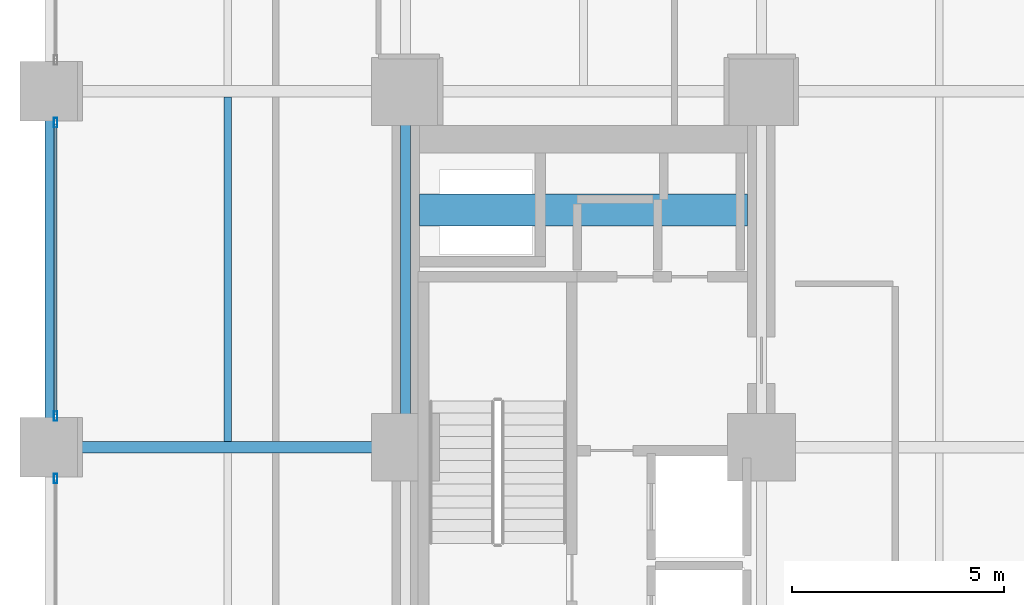
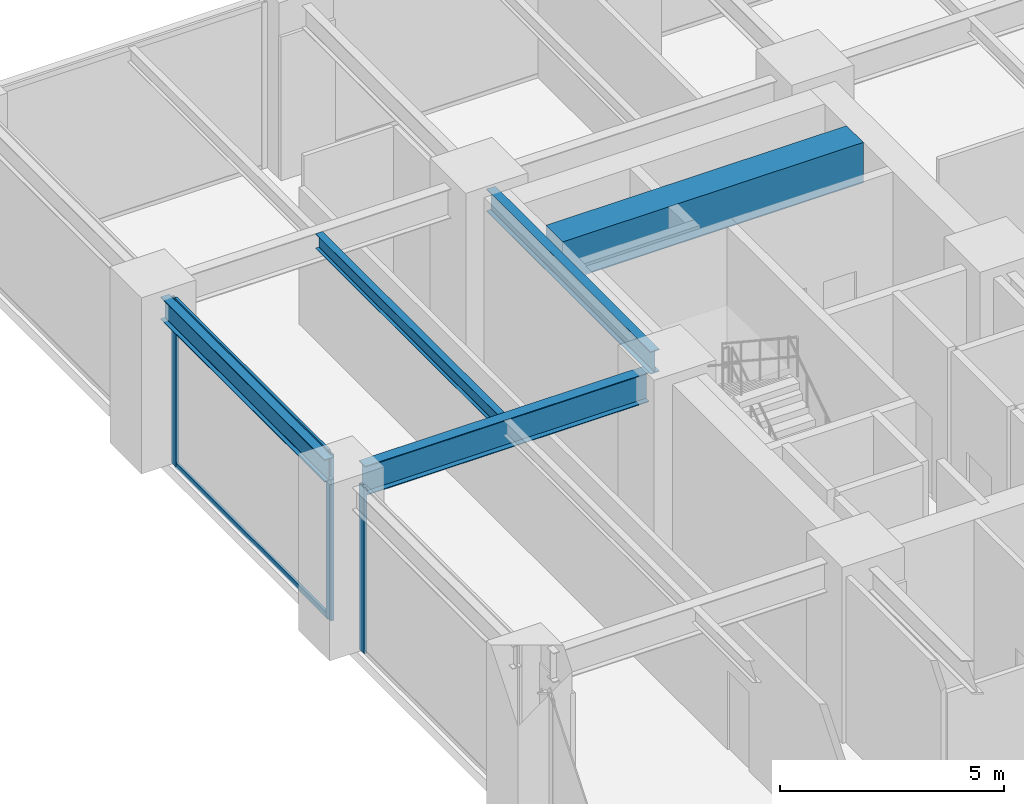
# One storey, part 9 of 24: 5 beams, 5 members, 2 elements without a shape of their own.
"""IFC4 building model written with IfcOpenShell, lengths in metres."""

from ifc_helpers import new_model, si_unit, direction, frame, origin, origin_2d, place, context, subcontext, project, spatial, rectangle, hollow_rectangle, i_section, extrude, material, layer, layer_set, material_profile, profile_set, type_object, element, aggregate, save


model = new_model("IFC4")

# Units and contexts
model_context = context("Model", 3, precision=1e-05, world=origin(), true_north=direction((0.0, 1.0)))
body_context = subcontext(model_context, "Body", "Model", "MODEL_VIEW")
ifc_project = project(units=[si_unit("LENGTHUNIT", "METRE"), si_unit("AREAUNIT", "SQUARE_METRE"), si_unit("VOLUMEUNIT", "CUBIC_METRE"), si_unit("PLANEANGLEUNIT", "RADIAN"), si_unit("MASSUNIT", "GRAM", prefix="KILO")], contexts=[model_context])

# Site, building, storey
site_placement = place(None, origin())
site = spatial("IfcSite", under=ifc_project, at=site_placement, CompositionType="ELEMENT")
building_placement = place(site_placement, origin())
building = spatial("IfcBuilding", under=site, at=building_placement, Name="Nerrivon Quay Data Exchange", CompositionType="ELEMENT")
storey_placement = place(building_placement, frame((0.0, 0.0, 10.199951171875)))
storey = spatial("IfcBuildingStorey", under=building, at=storey_placement, Name="L02", CompositionType="ELEMENT", Elevation=10.199951171875)

# Beams
ifc_material_1 = material(Name="Concrete S65 (65 MPa)", Category="concrete")
ifc_material_profile_1 = material_profile(ifc_material_1, rectangle(XDim=0.75, YDim=1.10009765625, at=origin_2d()), Name="RC-CB-750x1100")
ifc_profile_set_1 = profile_set([ifc_material_profile_1], Name="Concrete S65 (65 MPa)")
beam_type_1 = type_object("IfcBeamType", Name="BM-CB1-750x1100", PredefinedType="LINTEL", material=ifc_profile_set_1)
beam_1_placement = place(storey_placement, frame((8.72509765625, 39.199951171875, 3.97509765625), z_axis=(1.0, 0.0, 0.0), x_axis=(0.0, 1.0, 0.0)))
element("IfcBeam", 1, at=beam_1_placement, inside=storey, type_object=beam_type_1, Name="L02 West Core Coupling Beam", PredefinedType="LINTEL", context=body_context, shape_type="SweptSolid", body=[
    extrude(rectangle(XDim=0.75, YDim=1.10009765625, at=origin_2d()), origin(), (0.0, 0.0, 1.0), 7.75),
])
ifc_material_2 = material(Name="Steel Grade 350", Category="steel")
ifc_material_profile_2 = material_profile(ifc_material_2, i_section(OverallWidth=0.22900390625, OverallDepth=0.612060546875, WebThickness=0.011962890625, FlangeThickness=0.01953125, FilletRadius=0.013916015625, at=origin_2d()), Name="610UB125")
ifc_profile_set_2 = profile_set([ifc_material_profile_2], Name="Steel Grade 350")
beam_type_2 = type_object("IfcBeamType", Name="BM-G1-610UB125", PredefinedType="BEAM", material=ifc_profile_set_2)
for number, where, z_axis, x_axis, name in (
    (2, (0.0, 34.139892578125, 4.218994140625), (0.0, 1.0, 0.0), (-1.0, 0.0, 0.0), "L02 NS Girder X=0.0 (33.6..42.0)"),
    (3, (8.39990234375, 34.139892578125, 4.218994140625), (0.0, 1.0, 0.0), (-1.0, 0.0, 0.0), "L02 NS Girder X=8.4 (33.6..42.0)"),
):
    element("IfcBeam", number, at=place(storey_placement, frame(where, z_axis=z_axis, x_axis=x_axis)), inside=storey, type_object=beam_type_2, Name=name, PredefinedType="BEAM", context=body_context, shape_type="SweptSolid", body=[
        extrude(i_section(OverallWidth=0.22900390625, OverallDepth=0.612060546875, WebThickness=0.011962890625, FlangeThickness=0.01953125, FilletRadius=0.013916015625, at=origin_2d()), origin(), (0.0, 0.0, 1.0), 7.320068359375),
    ])
ifc_material_profile_3 = material_profile(ifc_material_2, i_section(OverallWidth=0.27490234375, OverallDepth=0.800048828125, WebThickness=0.010009765625, FlangeThickness=0.02001953125, at=origin_2d()), Name="800WB146")
ifc_profile_set_3 = profile_set([ifc_material_profile_3], Name="Steel Grade 350")
beam_type_3 = type_object("IfcBeamType", Name="BM-G8-800WB146", PredefinedType="BEAM", material=ifc_profile_set_3)
beam_2_placement = place(storey_placement, frame((0.5400390625, 33.60009765625, 4.125), z_axis=(1.0, 0.0, 0.0), x_axis=(0.0, 1.0, 0.0)))
element("IfcBeam", 4, at=beam_2_placement, inside=storey, type_object=beam_type_3, Name="L02 EW Girder Y=33.6 (0.0..8.4)", PredefinedType="BEAM", context=body_context, shape_type="SweptSolid", body=[
    extrude(i_section(OverallWidth=0.27490234375, OverallDepth=0.800048828125, WebThickness=0.010009765625, FlangeThickness=0.02001953125, at=origin_2d()), origin(), (0.0, 0.0, 1.0), 7.320068359375),
])
ifc_material_profile_4 = material_profile(ifc_material_2, i_section(OverallWidth=0.177978515625, OverallDepth=0.403076171875, WebThickness=0.007568359375, FlangeThickness=0.010986328125, FilletRadius=0.011474609375, at=origin_2d()), Name="410UB53.7")
ifc_profile_set_4 = profile_set([ifc_material_profile_4], Name="Steel Grade 350")
beam_type_4 = type_object("IfcBeamType", Name="BM-J2-410UB54", PredefinedType="JOIST", material=ifc_profile_set_4)
beam_3_placement = place(storey_placement, frame((4.199951171875, 33.737548828125, 4.323486328125), z_axis=(0.0, 1.0, 0.0), x_axis=(-1.0, 0.0, 0.0)))
element("IfcBeam", 5, at=beam_3_placement, inside=storey, type_object=beam_type_4, Name="L02 Secondary Joist X=4.2 (33.6..42.0)", PredefinedType="JOIST", context=body_context, shape_type="SweptSolid", body=[
    extrude(i_section(OverallWidth=0.177978515625, OverallDepth=0.403076171875, WebThickness=0.007568359375, FlangeThickness=0.010986328125, FilletRadius=0.011474609375, at=origin_2d()), origin(), (0.0, 0.0, 1.0), 8.125),
])

# Curtain wall, member
ifc_material_3 = material(Name="Anodised aluminium 6063-T6", Category="aluminium")
ifc_layer = layer(ifc_material_3, 0.239990234375)
ifc_layer_set = layer_set([ifc_layer], Name="Anodised aluminium 6063-T6")
curtain_wall_type = type_object("IfcCurtainWallType", Name="CW-SYS-03", PredefinedType="NOTDEFINED", material=ifc_layer_set)
curtain_wall_1_placement = place(storey_placement, origin())
curtain_wall_1 = element("IfcCurtainWall", 6, at=curtain_wall_1_placement, inside=storey, type_object=curtain_wall_type, Name="L02 Unitised Curtain Wall 4", PredefinedType="NOTDEFINED")
ifc_material_profile_5 = material_profile(ifc_material_3, hollow_rectangle(XDim=0.074951171875, YDim=0.219970703125, WallThickness=0.00390625, at=origin_2d()), Name="ALU-MULL-220x75")
ifc_profile_set_5 = profile_set([ifc_material_profile_5], Name="Anodised aluminium 6063-T6")
member_type_1 = type_object("IfcMemberType", Name="CWM-220x75", PredefinedType="MULLION", material=ifc_profile_set_5)
member_1_placement = place(storey_placement, frame((0.139892578125, 32.862548828125, 0.0), z_axis=(0.0, 0.0, 1.0), x_axis=(-1.0, 0.0, 0.0)))
member_1 = element("IfcMember", 7, at=member_1_placement, type_object=member_type_1, Name="CW03 mullion 2", PredefinedType="MULLION", context=body_context, shape_type="SweptSolid", body=[
    extrude(hollow_rectangle(XDim=0.074951171875, YDim=0.219970703125, WallThickness=0.00390625, at=origin_2d()), origin(), (0.0, 0.0, 1.0), 4.525146484375),
])
aggregate(curtain_wall_1, [member_1])

# Curtain wall, members
curtain_wall_2_placement = place(storey_placement, origin())
curtain_wall_2 = element("IfcCurtainWall", 8, at=curtain_wall_2_placement, inside=storey, type_object=curtain_wall_type, Name="L02 Unitised Curtain Wall 5", PredefinedType="NOTDEFINED")
member_2_placement = place(storey_placement, frame((0.139892578125, 34.33740234375, 0.0), z_axis=(0.0, 0.0, 1.0), x_axis=(-1.0, 0.0, 0.0)))
member_2 = element("IfcMember", 9, at=member_2_placement, type_object=member_type_1, Name="CW03 mullion 1", PredefinedType="MULLION", context=body_context, shape_type="SweptSolid", body=[
    extrude(hollow_rectangle(XDim=0.074951171875, YDim=0.219970703125, WallThickness=0.00390625, at=origin_2d()), origin(), (0.0, 0.0, 1.0), 4.525146484375),
])
member_3_placement = place(storey_placement, frame((0.139892578125, 41.262451171875, 0.0), z_axis=(0.0, 0.0, 1.0), x_axis=(-1.0, 0.0, 0.0)))
member_3 = element("IfcMember", 10, at=member_3_placement, type_object=member_type_1, Name="CW03 mullion 2", PredefinedType="MULLION", context=body_context, shape_type="SweptSolid", body=[
    extrude(hollow_rectangle(XDim=0.074951171875, YDim=0.219970703125, WallThickness=0.00390625, at=origin_2d()), origin(), (0.0, 0.0, 1.0), 4.525146484375),
])
ifc_material_profile_6 = material_profile(ifc_material_3, hollow_rectangle(XDim=0.06494140625, YDim=0.14990234375, WallThickness=0.00341796875, at=origin_2d()), Name="ALU-TRAN-150x65")
ifc_profile_set_6 = profile_set([ifc_material_profile_6], Name="Anodised aluminium 6063-T6")
member_type_2 = type_object("IfcMemberType", Name="CWT-150x65", PredefinedType="USERDEFINED", material=ifc_profile_set_6)
member_4_placement = place(storey_placement, frame((0.139892578125, 34.375, 0.032470703125), z_axis=(0.0, 1.0, 0.0), x_axis=(-1.0, 0.0, 0.0)))
member_4 = element("IfcMember", 11, at=member_4_placement, type_object=member_type_2, Name="CW03 transom 1.1", ObjectType="TRANSOM", PredefinedType="USERDEFINED", context=body_context, shape_type="SweptSolid", body=[
    extrude(hollow_rectangle(XDim=0.06494140625, YDim=0.14990234375, WallThickness=0.00341796875, at=origin_2d()), origin(), (0.0, 0.0, 1.0), 6.85009765625),
])
member_5_placement = place(storey_placement, frame((0.139892578125, 34.375, 4.492431640625), z_axis=(0.0, 1.0, 0.0), x_axis=(-1.0, 0.0, 0.0)))
member_5 = element("IfcMember", 12, at=member_5_placement, type_object=member_type_2, Name="CW03 transom 1.2", ObjectType="TRANSOM", PredefinedType="USERDEFINED", context=body_context, shape_type="SweptSolid", body=[
    extrude(hollow_rectangle(XDim=0.06494140625, YDim=0.14990234375, WallThickness=0.00341796875, at=origin_2d()), origin(), (0.0, 0.0, 1.0), 6.85009765625),
])
aggregate(curtain_wall_2, [member_2, member_3, member_4, member_5])

save(model, "model.ifc")
